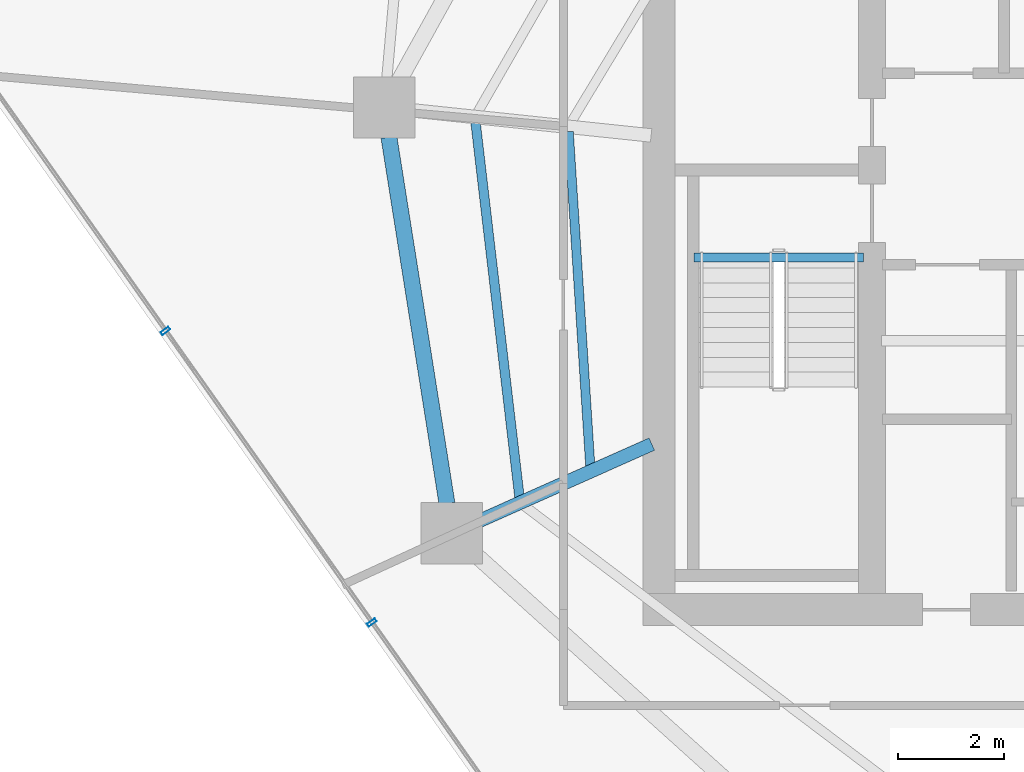
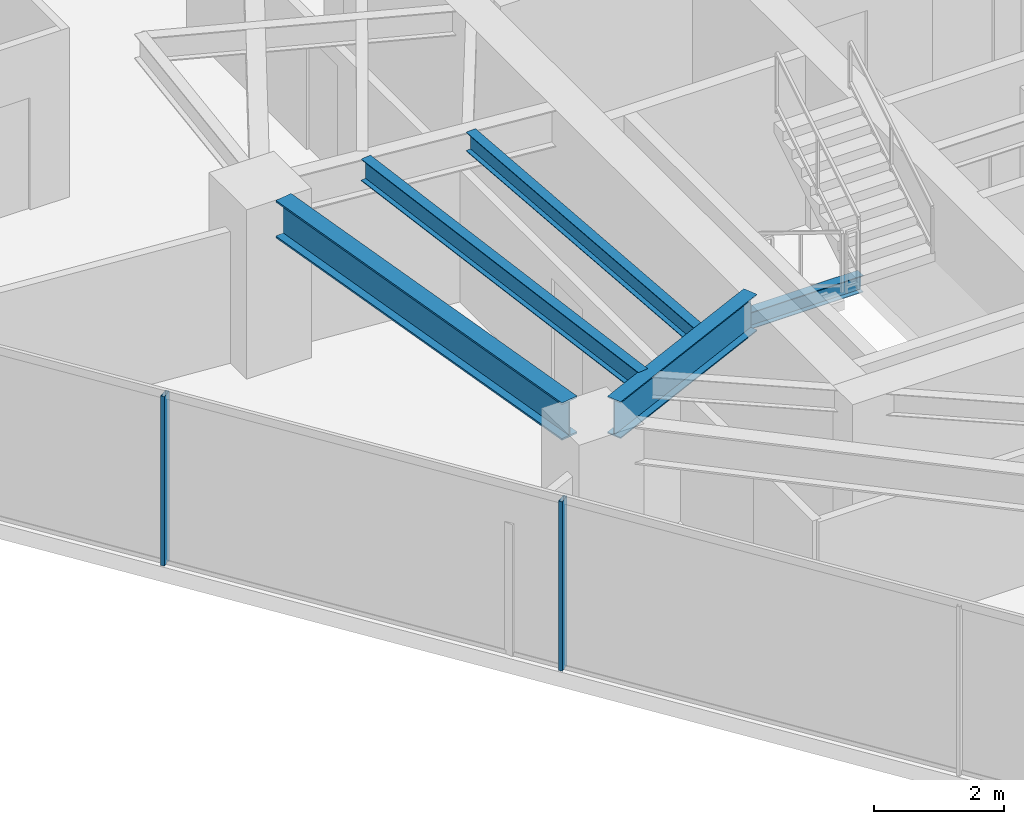
# One storey, part 6 of 30: 5 beams, 2 members, 1 element without a shape of its own.
"""IFC4 building model written with IfcOpenShell, lengths in metres."""

from ifc_helpers import new_model, si_unit, direction, frame, origin, origin_2d, place, context, subcontext, project, spatial, hollow_rectangle, i_section, extrude, material, layer, layer_set, material_profile, profile_set, type_object, element, aggregate, save


model = new_model("IFC4")

# Units and contexts
model_context = context("Model", 3, precision=1e-05, world=origin(), true_north=direction((0.0, 1.0)))
body_context = subcontext(model_context, "Body", "Model", "MODEL_VIEW")
ifc_project = project(units=[si_unit("LENGTHUNIT", "METRE"), si_unit("AREAUNIT", "SQUARE_METRE"), si_unit("VOLUMEUNIT", "CUBIC_METRE"), si_unit("PLANEANGLEUNIT", "RADIAN"), si_unit("MASSUNIT", "GRAM", prefix="KILO")], contexts=[model_context])

# Site, building, storey
site_placement = place(None, origin())
site = spatial("IfcSite", under=ifc_project, at=site_placement, CompositionType="ELEMENT")
building_placement = place(site_placement, origin())
building = spatial("IfcBuilding", under=site, at=building_placement, Name="Qarnah Convention Tower", CompositionType="ELEMENT")
storey_placement = place(building_placement, frame((0.0, 0.0, 86.699951171875)))
storey = spatial("IfcBuildingStorey", under=building, at=storey_placement, Name="L22", CompositionType="ELEMENT", Elevation=86.699951171875)

# Beams
ifc_material_1 = material(Name="Structural steel S355JR", Category="steel")
ifc_material_profile_1 = material_profile(ifc_material_1, i_section(OverallWidth=0.166015625, OverallDepth=0.31201171875, WebThickness=0.007080078125, FlangeThickness=0.010986328125, at=origin_2d()), Name="W310X45")
ifc_profile_set_1 = profile_set([ifc_material_profile_1], Name="Structural steel S355JR")
beam_type_1 = type_object("IfcBeamType", Name="BM-JST-W310", PredefinedType="JOIST", material=ifc_profile_set_1)
beam_1_placement = place(storey_placement, frame((27.4599609375, 25.217041015625, -0.156005859375), z_axis=(1.0, 0.0, 0.0), x_axis=(0.0, 1.0, 0.0)))
element("IfcBeam", 1, at=beam_1_placement, inside=storey, type_object=beam_type_1, Name="L22 stair landing trimmer beam BM-L22-ST1-TRM", PredefinedType="BEAM", context=body_context, shape_type="SweptSolid", body=[
    extrude(i_section(OverallWidth=0.166015625, OverallDepth=0.31201171875, WebThickness=0.007080078125, FlangeThickness=0.010986328125, at=origin_2d()), origin(), (0.0, 0.0, 1.0), 3.179931640625),
])
ifc_material_profile_2 = material_profile(ifc_material_1, i_section(OverallWidth=0.172119140625, OverallDepth=0.35595703125, WebThickness=0.007080078125, FlangeThickness=0.011962890625, at=origin_2d()), Name="W360X51")
ifc_profile_set_2 = profile_set([ifc_material_profile_2], Name="Structural steel S355JR")
beam_type_2 = type_object("IfcBeamType", Name="BM-JST-W360", PredefinedType="JOIST", material=ifc_profile_set_2)
beam_2_placement = place(storey_placement, frame((25.10205078125, 27.58203125, 2.991943359375), z_axis=(0.064363628198, -0.997926512006, 0.0), x_axis=(0.997926512006, 0.064363628198, 0.0)))
element("IfcBeam", 2, at=beam_2_placement, inside=storey, type_object=beam_type_2, Name="L22 joist BM-L22-IJST-05", PredefinedType="JOIST", context=body_context, shape_type="SweptSolid", body=[
    extrude(i_section(OverallWidth=0.172119140625, OverallDepth=0.35595703125, WebThickness=0.007080078125, FlangeThickness=0.011962890625, at=origin_2d()), origin(), (0.0, 0.0, 1.0), 6.30810546875),
])
ifc_material_profile_3 = material_profile(ifc_material_1, i_section(OverallWidth=0.177978515625, OverallDepth=0.407958984375, WebThickness=0.008056640625, FlangeThickness=0.012939453125, at=origin_2d()), Name="W410X60")
ifc_profile_set_3 = profile_set([ifc_material_profile_3], Name="Structural steel S355JR")
beam_type_3 = type_object("IfcBeamType", Name="BM-JST-W410", PredefinedType="JOIST", material=ifc_profile_set_3)
beam_3_placement = place(storey_placement, frame((23.35009765625, 27.76806640625, 2.966064453125), z_axis=(0.116421423163, -0.993199905472, 0.0), x_axis=(0.993199905472, 0.116421423163, 0.0)))
element("IfcBeam", 3, at=beam_3_placement, inside=storey, type_object=beam_type_3, Name="L22 joist BM-L22-SJST-05", PredefinedType="JOIST", context=body_context, shape_type="SweptSolid", body=[
    extrude(i_section(OverallWidth=0.177978515625, OverallDepth=0.407958984375, WebThickness=0.008056640625, FlangeThickness=0.012939453125, at=origin_2d()), origin(), (0.0, 0.0, 1.0), 7.119384765625),
])
ifc_material_profile_4 = material_profile(ifc_material_1, i_section(OverallWidth=0.25390625, OverallDepth=0.68798828125, WebThickness=0.012939453125, FlangeThickness=0.02099609375, at=origin_2d()), Name="W690X152")
ifc_profile_set_4 = profile_set([ifc_material_profile_4], Name="Structural steel S355JR")
beam_type_4 = type_object("IfcBeamType", Name="BM-RAD-W690", PredefinedType="BEAM", material=ifc_profile_set_4)
beam_4_placement = place(storey_placement, frame((26.6630859375, 21.708984375, 2.825927734375), z_axis=(-0.913588053958, -0.4066409567, 0.0), x_axis=(0.4066409567, -0.913588053958, 0.0)))
element("IfcBeam", 4, at=beam_4_placement, inside=storey, type_object=beam_type_4, Name="L22 beam BM-L22-RAD-06", PredefinedType="BEAM", context=body_context, shape_type="SweptSolid", body=[
    extrude(i_section(OverallWidth=0.25390625, OverallDepth=0.68798828125, WebThickness=0.012939453125, FlangeThickness=0.02099609375, at=origin_2d()), origin(), (0.0, 0.0, 1.0), 3.560791015625),
])
ifc_material_profile_5 = material_profile(ifc_material_1, i_section(OverallWidth=0.300048828125, OverallDepth=0.699951171875, WebThickness=0.01708984375, FlangeThickness=0.031982421875, at=origin_2d()), Name="HEB700")
ifc_profile_set_5 = profile_set([ifc_material_profile_5], Name="Structural steel S355JR")
beam_type_5 = type_object("IfcBeamType", Name="BM-RING-HEB700", PredefinedType="BEAM", material=ifc_profile_set_5)
beam_5_placement = place(storey_placement, frame((21.72412109375, 27.47802734375, 2.820068359375), z_axis=(0.156482310627, -0.987680761411, 0.0), x_axis=(0.987680761411, 0.156482310627, 0.0)))
element("IfcBeam", 5, at=beam_5_placement, inside=storey, type_object=beam_type_5, Name="L22 beam BM-L22-SPN-05", PredefinedType="BEAM", context=body_context, shape_type="SweptSolid", body=[
    extrude(i_section(OverallWidth=0.300048828125, OverallDepth=0.699951171875, WebThickness=0.01708984375, FlangeThickness=0.031982421875, at=origin_2d()), origin(), (0.0, 0.0, 1.0), 6.970947265625),
])

# Curtain wall, members
ifc_material_2 = material(Name="Tempered Low-E dark glass", Category="glass")
ifc_layer = layer(ifc_material_2, 0.169921875)
ifc_layer_set = layer_set([ifc_layer], Name="Tempered Low-E dark glass")
curtain_wall_type = type_object("IfcCurtainWallType", Name="CWS-02", PredefinedType="NOTDEFINED", material=ifc_layer_set)
curtain_wall_placement = place(storey_placement, origin())
curtain_wall = element("IfcCurtainWall", 6, at=curtain_wall_placement, inside=storey, type_object=curtain_wall_type, Name="L22 unitised curtain wall CW-L22-F2", PredefinedType="NOTDEFINED")
ifc_material_3 = material(Name="Black anodised aluminium", Category="aluminium")
ifc_material_profile_6 = material_profile(ifc_material_3, hollow_rectangle(XDim=0.06494140625, YDim=0.179931640625, WallThickness=0.00390625, at=origin_2d()), Name="MUL-65X180")
ifc_profile_set_6 = profile_set([ifc_material_profile_6], Name="Black anodised aluminium")
member_type = type_object("IfcMemberType", Name="MUL-T2", PredefinedType="MULLION", material=ifc_profile_set_6)
member_1_placement = place(storey_placement, frame((21.404296875, 18.3564453125, 0.0), z_axis=(0.0, 0.0, 1.0), x_axis=(-0.57758672318, 0.81632933134, 0.0)))
member_1 = element("IfcMember", 7, at=member_1_placement, type_object=member_type, Name="CW-L22-F2 mullion 4", PredefinedType="MULLION", context=body_context, shape_type="SweptSolid", body=[
    extrude(hollow_rectangle(XDim=0.06494140625, YDim=0.179931640625, WallThickness=0.00390625, at=origin_2d()), origin(), (0.0, 0.0, 1.0), 3.170166015625),
])
member_2_placement = place(storey_placement, frame((17.525634765625, 23.838134765625, 0.0), z_axis=(0.0, 0.0, 1.0), x_axis=(-0.57758672318, 0.81632933134, 0.0)))
member_2 = element("IfcMember", 8, at=member_2_placement, type_object=member_type, Name="CW-L22-F2 mullion 5", PredefinedType="MULLION", context=body_context, shape_type="SweptSolid", body=[
    extrude(hollow_rectangle(XDim=0.06494140625, YDim=0.179931640625, WallThickness=0.00390625, at=origin_2d()), origin(), (0.0, 0.0, 1.0), 3.170166015625),
])
aggregate(curtain_wall, [member_1, member_2])

save(model, "model.ifc")
